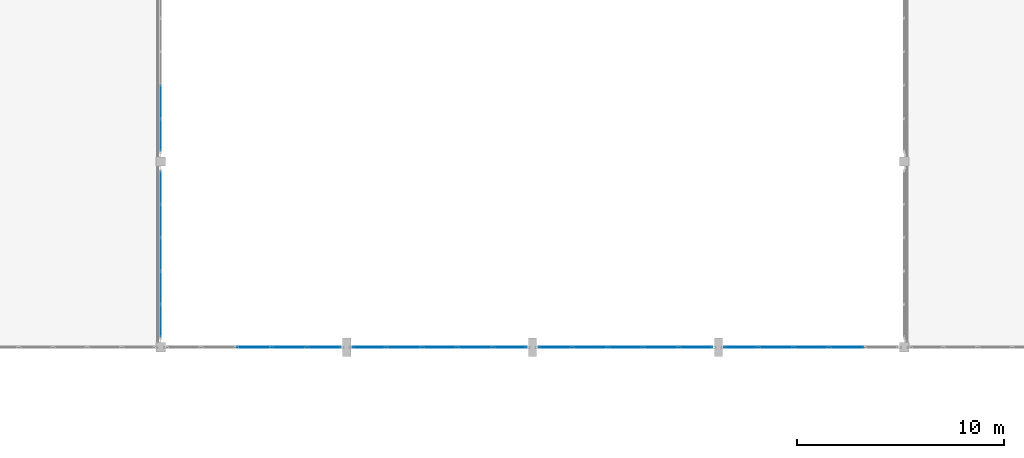
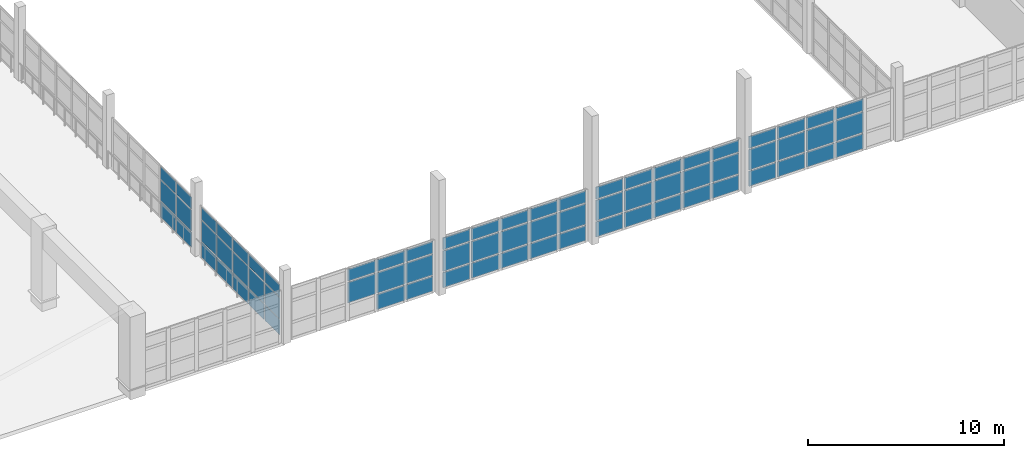
# One storey, part 56 of 80: 71 plates, 6 elements without a shape of their own.
"""IFC4 building model written with IfcOpenShell, lengths in metres."""

from ifc_helpers import new_model, si_unit, direction, frame, origin, origin_2d, place, context, subcontext, project, spatial, rectangle, extrude, material, layer, layer_set, type_object, element, aggregate, save


model = new_model("IFC4")

# Units and contexts
model_context = context("Model", 3, precision=1e-05, world=origin(), true_north=direction((0.0, 1.0)))
body_context = subcontext(model_context, "Body", "Model", "MODEL_VIEW")
ifc_project = project(units=[si_unit("LENGTHUNIT", "METRE"), si_unit("AREAUNIT", "SQUARE_METRE"), si_unit("VOLUMEUNIT", "CUBIC_METRE"), si_unit("PLANEANGLEUNIT", "RADIAN"), si_unit("MASSUNIT", "GRAM", prefix="KILO")], contexts=[model_context])

# Site, building, storey
site_placement = place(None, origin())
site = spatial("IfcSite", under=ifc_project, at=site_placement, CompositionType="ELEMENT")
building_placement = place(site_placement, origin())
building = spatial("IfcBuilding", under=site, at=building_placement, Name="Ornek Quay Market", CompositionType="ELEMENT")
storey_placement = place(building_placement, frame((0.0, 0.0, 8.39990234375)))
storey = spatial("IfcBuildingStorey", under=building, at=storey_placement, Name="L02", CompositionType="ELEMENT", Elevation=8.39990234375)

# Curtain wall, plates
ifc_material_1 = material(Name="Anodised bronze aluminium and triple low-e glass", Category="aluminium")
ifc_layer_1 = layer(ifc_material_1, 0.139892578125, Name="Anodised bronze aluminium and triple low-e glass", Category="aluminium")
ifc_layer_set_1 = layer_set([ifc_layer_1], Name="Anodised bronze aluminium and triple low-e glass")
curtain_wall_type_1 = type_object("IfcCurtainWallType", Name="CW-GALLERY-INT", PredefinedType="USERDEFINED", material=ifc_layer_set_1)
curtain_wall_1_placement = place(storey_placement, origin())
curtain_wall_1 = element("IfcCurtainWall", 1, at=curtain_wall_1_placement, inside=storey, type_object=curtain_wall_type_1, Name="Curtain wall CW-109", ObjectType="CURTAIN WALL", PredefinedType="USERDEFINED")
ifc_material_2 = material(Name="Toughened laminated acoustic glass", Category="glass")
ifc_layer_2 = layer(ifc_material_2, 0.01611328125, Name="Toughened laminated acoustic glass", Category="glass")
ifc_layer_set_2 = layer_set([ifc_layer_2], Name="Toughened laminated acoustic glass")
plate_type_1 = type_object("IfcPlateType", Name="PL-CW-INT-16", PredefinedType="CURTAIN_PANEL", material=ifc_layer_set_2)
plate_1_placement = place(storey_placement, frame((72.0, 30.27490234375, 0.06005859375), z_axis=(0.0, 0.0, 1.0), x_axis=(0.0, 1.0, 0.0)))
plate_1 = element("IfcPlate", 2, at=plate_1_placement, type_object=plate_type_1, Name="CW-109 panel 1.1", PredefinedType="CURTAIN_PANEL", context=body_context, shape_type="SweptSolid", body=[
    extrude(rectangle(XDim=1.530029296875, YDim=0.01611328125, at=origin_2d()), origin(), (0.0, 0.0, 1.0), 0.9599609375),
])
plate_2_placement = place(storey_placement, frame((72.0, 30.27490234375, 1.080078125), z_axis=(0.0, 0.0, 1.0), x_axis=(0.0, 1.0, 0.0)))
plate_2 = element("IfcPlate", 3, at=plate_2_placement, type_object=plate_type_1, Name="CW-109 panel 1.2", PredefinedType="CURTAIN_PANEL", context=body_context, shape_type="SweptSolid", body=[
    extrude(rectangle(XDim=1.530029296875, YDim=0.01611328125, at=origin_2d()), origin(), (0.0, 0.0, 1.0), 1.2900390625),
])
plate_3_placement = place(storey_placement, frame((72.0, 30.27490234375, 2.43017578125), z_axis=(0.0, 0.0, 1.0), x_axis=(0.0, 1.0, 0.0)))
plate_3 = element("IfcPlate", 4, at=plate_3_placement, type_object=plate_type_1, Name="CW-109 panel 1.3", PredefinedType="CURTAIN_PANEL", context=body_context, shape_type="SweptSolid", body=[
    extrude(rectangle(XDim=1.530029296875, YDim=0.01611328125, at=origin_2d()), origin(), (0.0, 0.0, 1.0), 0.760009765625),
])
plate_4_placement = place(storey_placement, frame((72.0, 31.8798828125, 0.06005859375), z_axis=(0.0, 0.0, 1.0), x_axis=(0.0, 1.0, 0.0)))
plate_4 = element("IfcPlate", 5, at=plate_4_placement, type_object=plate_type_1, Name="CW-109 panel 2.1", PredefinedType="CURTAIN_PANEL", context=body_context, shape_type="SweptSolid", body=[
    extrude(rectangle(XDim=1.56005859375, YDim=0.01611328125, at=origin_2d()), origin(), (0.0, 0.0, 1.0), 0.9599609375),
])
plate_5_placement = place(storey_placement, frame((72.0, 31.8798828125, 1.080078125), z_axis=(0.0, 0.0, 1.0), x_axis=(0.0, 1.0, 0.0)))
plate_5 = element("IfcPlate", 6, at=plate_5_placement, type_object=plate_type_1, Name="CW-109 panel 2.2", PredefinedType="CURTAIN_PANEL", context=body_context, shape_type="SweptSolid", body=[
    extrude(rectangle(XDim=1.56005859375, YDim=0.01611328125, at=origin_2d()), origin(), (0.0, 0.0, 1.0), 1.2900390625),
])
plate_6_placement = place(storey_placement, frame((72.0, 31.8798828125, 2.43017578125), z_axis=(0.0, 0.0, 1.0), x_axis=(0.0, 1.0, 0.0)))
plate_6 = element("IfcPlate", 7, at=plate_6_placement, type_object=plate_type_1, Name="CW-109 panel 2.3", PredefinedType="CURTAIN_PANEL", context=body_context, shape_type="SweptSolid", body=[
    extrude(rectangle(XDim=1.56005859375, YDim=0.01611328125, at=origin_2d()), origin(), (0.0, 0.0, 1.0), 0.760009765625),
])
plate_7_placement = place(storey_placement, frame((72.0, 33.5, 0.06005859375), z_axis=(0.0, 0.0, 1.0), x_axis=(0.0, 1.0, 0.0)))
plate_7 = element("IfcPlate", 8, at=plate_7_placement, type_object=plate_type_1, Name="CW-109 panel 3.1", PredefinedType="CURTAIN_PANEL", context=body_context, shape_type="SweptSolid", body=[
    extrude(rectangle(XDim=1.56005859375, YDim=0.01611328125, at=origin_2d()), origin(), (0.0, 0.0, 1.0), 0.9599609375),
])
plate_8_placement = place(storey_placement, frame((72.0, 33.5, 1.080078125), z_axis=(0.0, 0.0, 1.0), x_axis=(0.0, 1.0, 0.0)))
plate_8 = element("IfcPlate", 9, at=plate_8_placement, type_object=plate_type_1, Name="CW-109 panel 3.2", PredefinedType="CURTAIN_PANEL", context=body_context, shape_type="SweptSolid", body=[
    extrude(rectangle(XDim=1.56005859375, YDim=0.01611328125, at=origin_2d()), origin(), (0.0, 0.0, 1.0), 1.2900390625),
])
plate_9_placement = place(storey_placement, frame((72.0, 33.5, 2.43017578125), z_axis=(0.0, 0.0, 1.0), x_axis=(0.0, 1.0, 0.0)))
plate_9 = element("IfcPlate", 10, at=plate_9_placement, type_object=plate_type_1, Name="CW-109 panel 3.3", PredefinedType="CURTAIN_PANEL", context=body_context, shape_type="SweptSolid", body=[
    extrude(rectangle(XDim=1.56005859375, YDim=0.01611328125, at=origin_2d()), origin(), (0.0, 0.0, 1.0), 0.760009765625),
])
plate_10_placement = place(storey_placement, frame((72.0, 35.1201171875, 0.06005859375), z_axis=(0.0, 0.0, 1.0), x_axis=(0.0, 1.0, 0.0)))
plate_10 = element("IfcPlate", 11, at=plate_10_placement, type_object=plate_type_1, Name="CW-109 panel 4.1", PredefinedType="CURTAIN_PANEL", context=body_context, shape_type="SweptSolid", body=[
    extrude(rectangle(XDim=1.56005859375, YDim=0.01611328125, at=origin_2d()), origin(), (0.0, 0.0, 1.0), 0.9599609375),
])
plate_11_placement = place(storey_placement, frame((72.0, 35.1201171875, 1.080078125), z_axis=(0.0, 0.0, 1.0), x_axis=(0.0, 1.0, 0.0)))
plate_11 = element("IfcPlate", 12, at=plate_11_placement, type_object=plate_type_1, Name="CW-109 panel 4.2", PredefinedType="CURTAIN_PANEL", context=body_context, shape_type="SweptSolid", body=[
    extrude(rectangle(XDim=1.56005859375, YDim=0.01611328125, at=origin_2d()), origin(), (0.0, 0.0, 1.0), 1.2900390625),
])
plate_12_placement = place(storey_placement, frame((72.0, 35.1201171875, 2.43017578125), z_axis=(0.0, 0.0, 1.0), x_axis=(0.0, 1.0, 0.0)))
plate_12 = element("IfcPlate", 13, at=plate_12_placement, type_object=plate_type_1, Name="CW-109 panel 4.3", PredefinedType="CURTAIN_PANEL", context=body_context, shape_type="SweptSolid", body=[
    extrude(rectangle(XDim=1.56005859375, YDim=0.01611328125, at=origin_2d()), origin(), (0.0, 0.0, 1.0), 0.760009765625),
])
plate_13_placement = place(storey_placement, frame((72.0, 36.72509765625, 0.06005859375), z_axis=(0.0, 0.0, 1.0), x_axis=(0.0, 1.0, 0.0)))
plate_13 = element("IfcPlate", 14, at=plate_13_placement, type_object=plate_type_1, Name="CW-109 panel 5.1", PredefinedType="CURTAIN_PANEL", context=body_context, shape_type="SweptSolid", body=[
    extrude(rectangle(XDim=1.530029296875, YDim=0.01611328125, at=origin_2d()), origin(), (0.0, 0.0, 1.0), 0.9599609375),
])
plate_14_placement = place(storey_placement, frame((72.0, 36.72509765625, 1.080078125), z_axis=(0.0, 0.0, 1.0), x_axis=(0.0, 1.0, 0.0)))
plate_14 = element("IfcPlate", 15, at=plate_14_placement, type_object=plate_type_1, Name="CW-109 panel 5.2", PredefinedType="CURTAIN_PANEL", context=body_context, shape_type="SweptSolid", body=[
    extrude(rectangle(XDim=1.530029296875, YDim=0.01611328125, at=origin_2d()), origin(), (0.0, 0.0, 1.0), 1.2900390625),
])
plate_15_placement = place(storey_placement, frame((72.0, 36.72509765625, 2.43017578125), z_axis=(0.0, 0.0, 1.0), x_axis=(0.0, 1.0, 0.0)))
plate_15 = element("IfcPlate", 16, at=plate_15_placement, type_object=plate_type_1, Name="CW-109 panel 5.3", PredefinedType="CURTAIN_PANEL", context=body_context, shape_type="SweptSolid", body=[
    extrude(rectangle(XDim=1.530029296875, YDim=0.01611328125, at=origin_2d()), origin(), (0.0, 0.0, 1.0), 0.760009765625),
])
aggregate(curtain_wall_1, [plate_1, plate_2, plate_3, plate_4, plate_5, plate_6, plate_7, plate_8, plate_9, plate_10, plate_11, plate_12, plate_13, plate_14, plate_15])

curtain_wall_2_placement = place(storey_placement, origin())
curtain_wall_2 = element("IfcCurtainWall", 17, at=curtain_wall_2_placement, inside=storey, type_object=curtain_wall_type_1, Name="Curtain wall CW-110", ObjectType="CURTAIN WALL", PredefinedType="USERDEFINED")
plate_16_placement = place(storey_placement, frame((72.0, 39.27490234375, 0.06005859375), z_axis=(0.0, 0.0, 1.0), x_axis=(0.0, 1.0, 0.0)))
plate_16 = element("IfcPlate", 18, at=plate_16_placement, type_object=plate_type_1, Name="CW-110 panel 1.1", PredefinedType="CURTAIN_PANEL", context=body_context, shape_type="SweptSolid", body=[
    extrude(rectangle(XDim=1.530029296875, YDim=0.01611328125, at=origin_2d()), origin(), (0.0, 0.0, 1.0), 0.9599609375),
])
plate_17_placement = place(storey_placement, frame((72.0, 39.27490234375, 1.080078125), z_axis=(0.0, 0.0, 1.0), x_axis=(0.0, 1.0, 0.0)))
plate_17 = element("IfcPlate", 19, at=plate_17_placement, type_object=plate_type_1, Name="CW-110 panel 1.2", PredefinedType="CURTAIN_PANEL", context=body_context, shape_type="SweptSolid", body=[
    extrude(rectangle(XDim=1.530029296875, YDim=0.01611328125, at=origin_2d()), origin(), (0.0, 0.0, 1.0), 1.2900390625),
])
plate_18_placement = place(storey_placement, frame((72.0, 39.27490234375, 2.43017578125), z_axis=(0.0, 0.0, 1.0), x_axis=(0.0, 1.0, 0.0)))
plate_18 = element("IfcPlate", 20, at=plate_18_placement, type_object=plate_type_1, Name="CW-110 panel 1.3", PredefinedType="CURTAIN_PANEL", context=body_context, shape_type="SweptSolid", body=[
    extrude(rectangle(XDim=1.530029296875, YDim=0.01611328125, at=origin_2d()), origin(), (0.0, 0.0, 1.0), 0.760009765625),
])
plate_19_placement = place(storey_placement, frame((72.0, 40.8798828125, 0.06005859375), z_axis=(0.0, 0.0, 1.0), x_axis=(0.0, 1.0, 0.0)))
plate_19 = element("IfcPlate", 21, at=plate_19_placement, type_object=plate_type_1, Name="CW-110 panel 2.1", PredefinedType="CURTAIN_PANEL", context=body_context, shape_type="SweptSolid", body=[
    extrude(rectangle(XDim=1.56005859375, YDim=0.01611328125, at=origin_2d()), origin(), (0.0, 0.0, 1.0), 0.9599609375),
])
plate_20_placement = place(storey_placement, frame((72.0, 40.8798828125, 1.080078125), z_axis=(0.0, 0.0, 1.0), x_axis=(0.0, 1.0, 0.0)))
plate_20 = element("IfcPlate", 22, at=plate_20_placement, type_object=plate_type_1, Name="CW-110 panel 2.2", PredefinedType="CURTAIN_PANEL", context=body_context, shape_type="SweptSolid", body=[
    extrude(rectangle(XDim=1.56005859375, YDim=0.01611328125, at=origin_2d()), origin(), (0.0, 0.0, 1.0), 1.2900390625),
])
plate_21_placement = place(storey_placement, frame((72.0, 40.8798828125, 2.43017578125), z_axis=(0.0, 0.0, 1.0), x_axis=(0.0, 1.0, 0.0)))
plate_21 = element("IfcPlate", 23, at=plate_21_placement, type_object=plate_type_1, Name="CW-110 panel 2.3", PredefinedType="CURTAIN_PANEL", context=body_context, shape_type="SweptSolid", body=[
    extrude(rectangle(XDim=1.56005859375, YDim=0.01611328125, at=origin_2d()), origin(), (0.0, 0.0, 1.0), 0.760009765625),
])
aggregate(curtain_wall_2, [plate_16, plate_17, plate_18, plate_19, plate_20, plate_21])

ifc_layer_3 = layer(ifc_material_1, 0.239990234375, Name="Anodised bronze aluminium and triple low-e glass", Category="aluminium")
ifc_layer_set_3 = layer_set([ifc_layer_3], Name="Anodised bronze aluminium and triple low-e glass")
curtain_wall_type_2 = type_object("IfcCurtainWallType", Name="CW-GAB-MOD1800", PredefinedType="USERDEFINED", material=ifc_layer_set_3)
curtain_wall_3_placement = place(storey_placement, origin())
curtain_wall_3 = element("IfcCurtainWall", 24, at=curtain_wall_3_placement, inside=storey, type_object=curtain_wall_type_2, Name="Curtain wall CW-066", ObjectType="CURTAIN WALL", PredefinedType="USERDEFINED")
ifc_material_3 = material(Name="Triple insulated low-e glass", Category="glass")
ifc_layer_4 = layer(ifc_material_3, 0.0419921875, Name="Triple insulated low-e glass", Category="glass")
ifc_layer_set_4 = layer_set([ifc_layer_4], Name="Triple insulated low-e glass")
plate_type_2 = type_object("IfcPlateType", Name="PL-CW-TRIPLE-42", PredefinedType="CURTAIN_PANEL", material=ifc_layer_set_4)
plate_22_placement = place(storey_placement, frame((76.510009765625, 29.0, 1.087646484375), z_axis=(0.0, 0.0, 1.0), x_axis=(1.0, 0.0, 0.0)))
plate_22 = element("IfcPlate", 25, at=plate_22_placement, type_object=plate_type_2, Name="CW-066 panel 3.2", PredefinedType="CURTAIN_PANEL", context=body_context, shape_type="SweptSolid", body=[
    extrude(rectangle(XDim=1.632080078125, YDim=0.0419921875, at=origin_2d()), origin(), (0.0, 0.0, 1.0), 1.27490234375),
])
plate_23_placement = place(storey_placement, frame((76.510009765625, 29.0, 2.4375), z_axis=(0.0, 0.0, 1.0), x_axis=(1.0, 0.0, 0.0)))
plate_23 = element("IfcPlate", 26, at=plate_23_placement, type_object=plate_type_2, Name="CW-066 panel 3.3", PredefinedType="CURTAIN_PANEL", context=body_context, shape_type="SweptSolid", body=[
    extrude(rectangle(XDim=1.632080078125, YDim=0.0419921875, at=origin_2d()), origin(), (0.0, 0.0, 1.0), 0.737548828125),
])
plate_24_placement = place(storey_placement, frame((78.221923828125, 29.0, 0.0751953125), z_axis=(0.0, 0.0, 1.0), x_axis=(1.0, 0.0, 0.0)))
plate_24 = element("IfcPlate", 27, at=plate_24_placement, type_object=plate_type_2, Name="CW-066 panel 4.1", PredefinedType="CURTAIN_PANEL", context=body_context, shape_type="SweptSolid", body=[
    extrude(rectangle(XDim=1.632080078125, YDim=0.0419921875, at=origin_2d()), origin(), (0.0, 0.0, 1.0), 0.9375),
])
plate_25_placement = place(storey_placement, frame((78.221923828125, 29.0, 1.087646484375), z_axis=(0.0, 0.0, 1.0), x_axis=(1.0, 0.0, 0.0)))
plate_25 = element("IfcPlate", 28, at=plate_25_placement, type_object=plate_type_2, Name="CW-066 panel 4.2", PredefinedType="CURTAIN_PANEL", context=body_context, shape_type="SweptSolid", body=[
    extrude(rectangle(XDim=1.632080078125, YDim=0.0419921875, at=origin_2d()), origin(), (0.0, 0.0, 1.0), 1.27490234375),
])
plate_26_placement = place(storey_placement, frame((78.221923828125, 29.0, 2.4375), z_axis=(0.0, 0.0, 1.0), x_axis=(1.0, 0.0, 0.0)))
plate_26 = element("IfcPlate", 29, at=plate_26_placement, type_object=plate_type_2, Name="CW-066 panel 4.3", PredefinedType="CURTAIN_PANEL", context=body_context, shape_type="SweptSolid", body=[
    extrude(rectangle(XDim=1.632080078125, YDim=0.0419921875, at=origin_2d()), origin(), (0.0, 0.0, 1.0), 0.737548828125),
])
plate_27_placement = place(storey_placement, frame((79.9140625, 29.0, 0.0751953125), z_axis=(0.0, 0.0, 1.0), x_axis=(1.0, 0.0, 0.0)))
plate_27 = element("IfcPlate", 30, at=plate_27_placement, type_object=plate_type_2, Name="CW-066 panel 5.1", PredefinedType="CURTAIN_PANEL", context=body_context, shape_type="SweptSolid", body=[
    extrude(rectangle(XDim=1.592041015625, YDim=0.0419921875, at=origin_2d()), origin(), (0.0, 0.0, 1.0), 0.9375),
])
plate_28_placement = place(storey_placement, frame((79.9140625, 29.0, 1.087646484375), z_axis=(0.0, 0.0, 1.0), x_axis=(1.0, 0.0, 0.0)))
plate_28 = element("IfcPlate", 31, at=plate_28_placement, type_object=plate_type_2, Name="CW-066 panel 5.2", PredefinedType="CURTAIN_PANEL", context=body_context, shape_type="SweptSolid", body=[
    extrude(rectangle(XDim=1.592041015625, YDim=0.0419921875, at=origin_2d()), origin(), (0.0, 0.0, 1.0), 1.27490234375),
])
plate_29_placement = place(storey_placement, frame((79.9140625, 29.0, 2.4375), z_axis=(0.0, 0.0, 1.0), x_axis=(1.0, 0.0, 0.0)))
plate_29 = element("IfcPlate", 32, at=plate_29_placement, type_object=plate_type_2, Name="CW-066 panel 5.3", PredefinedType="CURTAIN_PANEL", context=body_context, shape_type="SweptSolid", body=[
    extrude(rectangle(XDim=1.592041015625, YDim=0.0419921875, at=origin_2d()), origin(), (0.0, 0.0, 1.0), 0.737548828125),
])
aggregate(curtain_wall_3, [plate_22, plate_23, plate_24, plate_25, plate_26, plate_27, plate_28, plate_29])

curtain_wall_4_placement = place(storey_placement, origin())
curtain_wall_4 = element("IfcCurtainWall", 33, at=curtain_wall_4_placement, inside=storey, type_object=curtain_wall_type_2, Name="Curtain wall CW-069", ObjectType="CURTAIN WALL", PredefinedType="USERDEFINED")
plate_30_placement = place(storey_placement, frame((82.087890625, 29.0, 0.0751953125), z_axis=(0.0, 0.0, 1.0), x_axis=(1.0, 0.0, 0.0)))
plate_30 = element("IfcPlate", 34, at=plate_30_placement, type_object=plate_type_2, Name="CW-069 panel 1.1", PredefinedType="CURTAIN_PANEL", context=body_context, shape_type="SweptSolid", body=[
    extrude(rectangle(XDim=1.595947265625, YDim=0.0419921875, at=origin_2d()), origin(), (0.0, 0.0, 1.0), 0.9375),
])
plate_31_placement = place(storey_placement, frame((82.087890625, 29.0, 1.087646484375), z_axis=(0.0, 0.0, 1.0), x_axis=(1.0, 0.0, 0.0)))
plate_31 = element("IfcPlate", 35, at=plate_31_placement, type_object=plate_type_2, Name="CW-069 panel 1.2", PredefinedType="CURTAIN_PANEL", context=body_context, shape_type="SweptSolid", body=[
    extrude(rectangle(XDim=1.595947265625, YDim=0.0419921875, at=origin_2d()), origin(), (0.0, 0.0, 1.0), 1.27490234375),
])
plate_32_placement = place(storey_placement, frame((82.087890625, 29.0, 2.4375), z_axis=(0.0, 0.0, 1.0), x_axis=(1.0, 0.0, 0.0)))
plate_32 = element("IfcPlate", 36, at=plate_32_placement, type_object=plate_type_2, Name="CW-069 panel 1.3", PredefinedType="CURTAIN_PANEL", context=body_context, shape_type="SweptSolid", body=[
    extrude(rectangle(XDim=1.595947265625, YDim=0.0419921875, at=origin_2d()), origin(), (0.0, 0.0, 1.0), 0.737548828125),
])
plate_33_placement = place(storey_placement, frame((83.783935546875, 29.0, 0.0751953125), z_axis=(0.0, 0.0, 1.0), x_axis=(1.0, 0.0, 0.0)))
plate_33 = element("IfcPlate", 37, at=plate_33_placement, type_object=plate_type_2, Name="CW-069 panel 2.1", PredefinedType="CURTAIN_PANEL", context=body_context, shape_type="SweptSolid", body=[
    extrude(rectangle(XDim=1.635986328125, YDim=0.0419921875, at=origin_2d()), origin(), (0.0, 0.0, 1.0), 0.9375),
])
plate_34_placement = place(storey_placement, frame((83.783935546875, 29.0, 1.087646484375), z_axis=(0.0, 0.0, 1.0), x_axis=(1.0, 0.0, 0.0)))
plate_34 = element("IfcPlate", 38, at=plate_34_placement, type_object=plate_type_2, Name="CW-069 panel 2.2", PredefinedType="CURTAIN_PANEL", context=body_context, shape_type="SweptSolid", body=[
    extrude(rectangle(XDim=1.635986328125, YDim=0.0419921875, at=origin_2d()), origin(), (0.0, 0.0, 1.0), 1.27490234375),
])
plate_35_placement = place(storey_placement, frame((83.783935546875, 29.0, 2.4375), z_axis=(0.0, 0.0, 1.0), x_axis=(1.0, 0.0, 0.0)))
plate_35 = element("IfcPlate", 39, at=plate_35_placement, type_object=plate_type_2, Name="CW-069 panel 2.3", PredefinedType="CURTAIN_PANEL", context=body_context, shape_type="SweptSolid", body=[
    extrude(rectangle(XDim=1.635986328125, YDim=0.0419921875, at=origin_2d()), origin(), (0.0, 0.0, 1.0), 0.737548828125),
])
plate_36_placement = place(storey_placement, frame((85.5, 29.0, 0.0751953125), z_axis=(0.0, 0.0, 1.0), x_axis=(1.0, 0.0, 0.0)))
plate_36 = element("IfcPlate", 40, at=plate_36_placement, type_object=plate_type_2, Name="CW-069 panel 3.1", PredefinedType="CURTAIN_PANEL", context=body_context, shape_type="SweptSolid", body=[
    extrude(rectangle(XDim=1.635986328125, YDim=0.0419921875, at=origin_2d()), origin(), (0.0, 0.0, 1.0), 0.9375),
])
plate_37_placement = place(storey_placement, frame((85.5, 29.0, 1.087646484375), z_axis=(0.0, 0.0, 1.0), x_axis=(1.0, 0.0, 0.0)))
plate_37 = element("IfcPlate", 41, at=plate_37_placement, type_object=plate_type_2, Name="CW-069 panel 3.2", PredefinedType="CURTAIN_PANEL", context=body_context, shape_type="SweptSolid", body=[
    extrude(rectangle(XDim=1.635986328125, YDim=0.0419921875, at=origin_2d()), origin(), (0.0, 0.0, 1.0), 1.27490234375),
])
plate_38_placement = place(storey_placement, frame((85.5, 29.0, 2.4375), z_axis=(0.0, 0.0, 1.0), x_axis=(1.0, 0.0, 0.0)))
plate_38 = element("IfcPlate", 42, at=plate_38_placement, type_object=plate_type_2, Name="CW-069 panel 3.3", PredefinedType="CURTAIN_PANEL", context=body_context, shape_type="SweptSolid", body=[
    extrude(rectangle(XDim=1.635986328125, YDim=0.0419921875, at=origin_2d()), origin(), (0.0, 0.0, 1.0), 0.737548828125),
])
plate_39_placement = place(storey_placement, frame((87.216064453125, 29.0, 0.0751953125), z_axis=(0.0, 0.0, 1.0), x_axis=(1.0, 0.0, 0.0)))
plate_39 = element("IfcPlate", 43, at=plate_39_placement, type_object=plate_type_2, Name="CW-069 panel 4.1", PredefinedType="CURTAIN_PANEL", context=body_context, shape_type="SweptSolid", body=[
    extrude(rectangle(XDim=1.635986328125, YDim=0.0419921875, at=origin_2d()), origin(), (0.0, 0.0, 1.0), 0.9375),
])
plate_40_placement = place(storey_placement, frame((87.216064453125, 29.0, 1.087646484375), z_axis=(0.0, 0.0, 1.0), x_axis=(1.0, 0.0, 0.0)))
plate_40 = element("IfcPlate", 44, at=plate_40_placement, type_object=plate_type_2, Name="CW-069 panel 4.2", PredefinedType="CURTAIN_PANEL", context=body_context, shape_type="SweptSolid", body=[
    extrude(rectangle(XDim=1.635986328125, YDim=0.0419921875, at=origin_2d()), origin(), (0.0, 0.0, 1.0), 1.27490234375),
])
plate_41_placement = place(storey_placement, frame((87.216064453125, 29.0, 2.4375), z_axis=(0.0, 0.0, 1.0), x_axis=(1.0, 0.0, 0.0)))
plate_41 = element("IfcPlate", 45, at=plate_41_placement, type_object=plate_type_2, Name="CW-069 panel 4.3", PredefinedType="CURTAIN_PANEL", context=body_context, shape_type="SweptSolid", body=[
    extrude(rectangle(XDim=1.635986328125, YDim=0.0419921875, at=origin_2d()), origin(), (0.0, 0.0, 1.0), 0.737548828125),
])
plate_42_placement = place(storey_placement, frame((88.912109375, 29.0, 0.0751953125), z_axis=(0.0, 0.0, 1.0), x_axis=(1.0, 0.0, 0.0)))
plate_42 = element("IfcPlate", 46, at=plate_42_placement, type_object=plate_type_2, Name="CW-069 panel 5.1", PredefinedType="CURTAIN_PANEL", context=body_context, shape_type="SweptSolid", body=[
    extrude(rectangle(XDim=1.595947265625, YDim=0.0419921875, at=origin_2d()), origin(), (0.0, 0.0, 1.0), 0.9375),
])
plate_43_placement = place(storey_placement, frame((88.912109375, 29.0, 1.087646484375), z_axis=(0.0, 0.0, 1.0), x_axis=(1.0, 0.0, 0.0)))
plate_43 = element("IfcPlate", 47, at=plate_43_placement, type_object=plate_type_2, Name="CW-069 panel 5.2", PredefinedType="CURTAIN_PANEL", context=body_context, shape_type="SweptSolid", body=[
    extrude(rectangle(XDim=1.595947265625, YDim=0.0419921875, at=origin_2d()), origin(), (0.0, 0.0, 1.0), 1.27490234375),
])
plate_44_placement = place(storey_placement, frame((88.912109375, 29.0, 2.4375), z_axis=(0.0, 0.0, 1.0), x_axis=(1.0, 0.0, 0.0)))
plate_44 = element("IfcPlate", 48, at=plate_44_placement, type_object=plate_type_2, Name="CW-069 panel 5.3", PredefinedType="CURTAIN_PANEL", context=body_context, shape_type="SweptSolid", body=[
    extrude(rectangle(XDim=1.595947265625, YDim=0.0419921875, at=origin_2d()), origin(), (0.0, 0.0, 1.0), 0.737548828125),
])
aggregate(curtain_wall_4, [plate_30, plate_31, plate_32, plate_33, plate_34, plate_35, plate_36, plate_37, plate_38, plate_39, plate_40, plate_41, plate_42, plate_43, plate_44])

curtain_wall_5_placement = place(storey_placement, origin())
curtain_wall_5 = element("IfcCurtainWall", 49, at=curtain_wall_5_placement, inside=storey, type_object=curtain_wall_type_2, Name="Curtain wall CW-072", ObjectType="CURTAIN WALL", PredefinedType="USERDEFINED")
plate_45_placement = place(storey_placement, frame((91.087890625, 29.0, 0.0751953125), z_axis=(0.0, 0.0, 1.0), x_axis=(1.0, 0.0, 0.0)))
plate_45 = element("IfcPlate", 50, at=plate_45_placement, type_object=plate_type_2, Name="CW-072 panel 1.1", PredefinedType="CURTAIN_PANEL", context=body_context, shape_type="SweptSolid", body=[
    extrude(rectangle(XDim=1.595947265625, YDim=0.0419921875, at=origin_2d()), origin(), (0.0, 0.0, 1.0), 0.9375),
])
plate_46_placement = place(storey_placement, frame((91.087890625, 29.0, 1.087646484375), z_axis=(0.0, 0.0, 1.0), x_axis=(1.0, 0.0, 0.0)))
plate_46 = element("IfcPlate", 51, at=plate_46_placement, type_object=plate_type_2, Name="CW-072 panel 1.2", PredefinedType="CURTAIN_PANEL", context=body_context, shape_type="SweptSolid", body=[
    extrude(rectangle(XDim=1.595947265625, YDim=0.0419921875, at=origin_2d()), origin(), (0.0, 0.0, 1.0), 1.27490234375),
])
plate_47_placement = place(storey_placement, frame((91.087890625, 29.0, 2.4375), z_axis=(0.0, 0.0, 1.0), x_axis=(1.0, 0.0, 0.0)))
plate_47 = element("IfcPlate", 52, at=plate_47_placement, type_object=plate_type_2, Name="CW-072 panel 1.3", PredefinedType="CURTAIN_PANEL", context=body_context, shape_type="SweptSolid", body=[
    extrude(rectangle(XDim=1.595947265625, YDim=0.0419921875, at=origin_2d()), origin(), (0.0, 0.0, 1.0), 0.737548828125),
])
plate_48_placement = place(storey_placement, frame((92.783935546875, 29.0, 0.0751953125), z_axis=(0.0, 0.0, 1.0), x_axis=(1.0, 0.0, 0.0)))
plate_48 = element("IfcPlate", 53, at=plate_48_placement, type_object=plate_type_2, Name="CW-072 panel 2.1", PredefinedType="CURTAIN_PANEL", context=body_context, shape_type="SweptSolid", body=[
    extrude(rectangle(XDim=1.635986328125, YDim=0.0419921875, at=origin_2d()), origin(), (0.0, 0.0, 1.0), 0.9375),
])
plate_49_placement = place(storey_placement, frame((92.783935546875, 29.0, 1.087646484375), z_axis=(0.0, 0.0, 1.0), x_axis=(1.0, 0.0, 0.0)))
plate_49 = element("IfcPlate", 54, at=plate_49_placement, type_object=plate_type_2, Name="CW-072 panel 2.2", PredefinedType="CURTAIN_PANEL", context=body_context, shape_type="SweptSolid", body=[
    extrude(rectangle(XDim=1.635986328125, YDim=0.0419921875, at=origin_2d()), origin(), (0.0, 0.0, 1.0), 1.27490234375),
])
plate_50_placement = place(storey_placement, frame((92.783935546875, 29.0, 2.4375), z_axis=(0.0, 0.0, 1.0), x_axis=(1.0, 0.0, 0.0)))
plate_50 = element("IfcPlate", 55, at=plate_50_placement, type_object=plate_type_2, Name="CW-072 panel 2.3", PredefinedType="CURTAIN_PANEL", context=body_context, shape_type="SweptSolid", body=[
    extrude(rectangle(XDim=1.635986328125, YDim=0.0419921875, at=origin_2d()), origin(), (0.0, 0.0, 1.0), 0.737548828125),
])
plate_51_placement = place(storey_placement, frame((94.5, 29.0, 0.0751953125), z_axis=(0.0, 0.0, 1.0), x_axis=(1.0, 0.0, 0.0)))
plate_51 = element("IfcPlate", 56, at=plate_51_placement, type_object=plate_type_2, Name="CW-072 panel 3.1", PredefinedType="CURTAIN_PANEL", context=body_context, shape_type="SweptSolid", body=[
    extrude(rectangle(XDim=1.635986328125, YDim=0.0419921875, at=origin_2d()), origin(), (0.0, 0.0, 1.0), 0.9375),
])
plate_52_placement = place(storey_placement, frame((94.5, 29.0, 1.087646484375), z_axis=(0.0, 0.0, 1.0), x_axis=(1.0, 0.0, 0.0)))
plate_52 = element("IfcPlate", 57, at=plate_52_placement, type_object=plate_type_2, Name="CW-072 panel 3.2", PredefinedType="CURTAIN_PANEL", context=body_context, shape_type="SweptSolid", body=[
    extrude(rectangle(XDim=1.635986328125, YDim=0.0419921875, at=origin_2d()), origin(), (0.0, 0.0, 1.0), 1.27490234375),
])
plate_53_placement = place(storey_placement, frame((94.5, 29.0, 2.4375), z_axis=(0.0, 0.0, 1.0), x_axis=(1.0, 0.0, 0.0)))
plate_53 = element("IfcPlate", 58, at=plate_53_placement, type_object=plate_type_2, Name="CW-072 panel 3.3", PredefinedType="CURTAIN_PANEL", context=body_context, shape_type="SweptSolid", body=[
    extrude(rectangle(XDim=1.635986328125, YDim=0.0419921875, at=origin_2d()), origin(), (0.0, 0.0, 1.0), 0.737548828125),
])
plate_54_placement = place(storey_placement, frame((96.216064453125, 29.0, 0.0751953125), z_axis=(0.0, 0.0, 1.0), x_axis=(1.0, 0.0, 0.0)))
plate_54 = element("IfcPlate", 59, at=plate_54_placement, type_object=plate_type_2, Name="CW-072 panel 4.1", PredefinedType="CURTAIN_PANEL", context=body_context, shape_type="SweptSolid", body=[
    extrude(rectangle(XDim=1.635986328125, YDim=0.0419921875, at=origin_2d()), origin(), (0.0, 0.0, 1.0), 0.9375),
])
plate_55_placement = place(storey_placement, frame((96.216064453125, 29.0, 1.087646484375), z_axis=(0.0, 0.0, 1.0), x_axis=(1.0, 0.0, 0.0)))
plate_55 = element("IfcPlate", 60, at=plate_55_placement, type_object=plate_type_2, Name="CW-072 panel 4.2", PredefinedType="CURTAIN_PANEL", context=body_context, shape_type="SweptSolid", body=[
    extrude(rectangle(XDim=1.635986328125, YDim=0.0419921875, at=origin_2d()), origin(), (0.0, 0.0, 1.0), 1.27490234375),
])
plate_56_placement = place(storey_placement, frame((96.216064453125, 29.0, 2.4375), z_axis=(0.0, 0.0, 1.0), x_axis=(1.0, 0.0, 0.0)))
plate_56 = element("IfcPlate", 61, at=plate_56_placement, type_object=plate_type_2, Name="CW-072 panel 4.3", PredefinedType="CURTAIN_PANEL", context=body_context, shape_type="SweptSolid", body=[
    extrude(rectangle(XDim=1.635986328125, YDim=0.0419921875, at=origin_2d()), origin(), (0.0, 0.0, 1.0), 0.737548828125),
])
plate_57_placement = place(storey_placement, frame((97.912109375, 29.0, 0.0751953125), z_axis=(0.0, 0.0, 1.0), x_axis=(1.0, 0.0, 0.0)))
plate_57 = element("IfcPlate", 62, at=plate_57_placement, type_object=plate_type_2, Name="CW-072 panel 5.1", PredefinedType="CURTAIN_PANEL", context=body_context, shape_type="SweptSolid", body=[
    extrude(rectangle(XDim=1.595947265625, YDim=0.0419921875, at=origin_2d()), origin(), (0.0, 0.0, 1.0), 0.9375),
])
plate_58_placement = place(storey_placement, frame((97.912109375, 29.0, 1.087646484375), z_axis=(0.0, 0.0, 1.0), x_axis=(1.0, 0.0, 0.0)))
plate_58 = element("IfcPlate", 63, at=plate_58_placement, type_object=plate_type_2, Name="CW-072 panel 5.2", PredefinedType="CURTAIN_PANEL", context=body_context, shape_type="SweptSolid", body=[
    extrude(rectangle(XDim=1.595947265625, YDim=0.0419921875, at=origin_2d()), origin(), (0.0, 0.0, 1.0), 1.27490234375),
])
plate_59_placement = place(storey_placement, frame((97.912109375, 29.0, 2.4375), z_axis=(0.0, 0.0, 1.0), x_axis=(1.0, 0.0, 0.0)))
plate_59 = element("IfcPlate", 64, at=plate_59_placement, type_object=plate_type_2, Name="CW-072 panel 5.3", PredefinedType="CURTAIN_PANEL", context=body_context, shape_type="SweptSolid", body=[
    extrude(rectangle(XDim=1.595947265625, YDim=0.0419921875, at=origin_2d()), origin(), (0.0, 0.0, 1.0), 0.737548828125),
])
aggregate(curtain_wall_5, [plate_45, plate_46, plate_47, plate_48, plate_49, plate_50, plate_51, plate_52, plate_53, plate_54, plate_55, plate_56, plate_57, plate_58, plate_59])

curtain_wall_6_placement = place(storey_placement, origin())
curtain_wall_6 = element("IfcCurtainWall", 65, at=curtain_wall_6_placement, inside=storey, type_object=curtain_wall_type_2, Name="Curtain wall CW-075", ObjectType="CURTAIN WALL", PredefinedType="USERDEFINED")
plate_60_placement = place(storey_placement, frame((100.0859375, 29.0, 0.0751953125), z_axis=(0.0, 0.0, 1.0), x_axis=(1.0, 0.0, 0.0)))
plate_60 = element("IfcPlate", 66, at=plate_60_placement, type_object=plate_type_2, Name="CW-075 panel 1.1", PredefinedType="CURTAIN_PANEL", context=body_context, shape_type="SweptSolid", body=[
    extrude(rectangle(XDim=1.592041015625, YDim=0.0419921875, at=origin_2d()), origin(), (0.0, 0.0, 1.0), 0.9375),
])
plate_61_placement = place(storey_placement, frame((100.0859375, 29.0, 1.087646484375), z_axis=(0.0, 0.0, 1.0), x_axis=(1.0, 0.0, 0.0)))
plate_61 = element("IfcPlate", 67, at=plate_61_placement, type_object=plate_type_2, Name="CW-075 panel 1.2", PredefinedType="CURTAIN_PANEL", context=body_context, shape_type="SweptSolid", body=[
    extrude(rectangle(XDim=1.592041015625, YDim=0.0419921875, at=origin_2d()), origin(), (0.0, 0.0, 1.0), 1.27490234375),
])
plate_62_placement = place(storey_placement, frame((100.0859375, 29.0, 2.4375), z_axis=(0.0, 0.0, 1.0), x_axis=(1.0, 0.0, 0.0)))
plate_62 = element("IfcPlate", 68, at=plate_62_placement, type_object=plate_type_2, Name="CW-075 panel 1.3", PredefinedType="CURTAIN_PANEL", context=body_context, shape_type="SweptSolid", body=[
    extrude(rectangle(XDim=1.592041015625, YDim=0.0419921875, at=origin_2d()), origin(), (0.0, 0.0, 1.0), 0.737548828125),
])
plate_63_placement = place(storey_placement, frame((101.778076171875, 29.0, 0.0751953125), z_axis=(0.0, 0.0, 1.0), x_axis=(1.0, 0.0, 0.0)))
plate_63 = element("IfcPlate", 69, at=plate_63_placement, type_object=plate_type_2, Name="CW-075 panel 2.1", PredefinedType="CURTAIN_PANEL", context=body_context, shape_type="SweptSolid", body=[
    extrude(rectangle(XDim=1.632080078125, YDim=0.0419921875, at=origin_2d()), origin(), (0.0, 0.0, 1.0), 0.9375),
])
plate_64_placement = place(storey_placement, frame((101.778076171875, 29.0, 1.087646484375), z_axis=(0.0, 0.0, 1.0), x_axis=(1.0, 0.0, 0.0)))
plate_64 = element("IfcPlate", 70, at=plate_64_placement, type_object=plate_type_2, Name="CW-075 panel 2.2", PredefinedType="CURTAIN_PANEL", context=body_context, shape_type="SweptSolid", body=[
    extrude(rectangle(XDim=1.632080078125, YDim=0.0419921875, at=origin_2d()), origin(), (0.0, 0.0, 1.0), 1.27490234375),
])
plate_65_placement = place(storey_placement, frame((101.778076171875, 29.0, 2.4375), z_axis=(0.0, 0.0, 1.0), x_axis=(1.0, 0.0, 0.0)))
plate_65 = element("IfcPlate", 71, at=plate_65_placement, type_object=plate_type_2, Name="CW-075 panel 2.3", PredefinedType="CURTAIN_PANEL", context=body_context, shape_type="SweptSolid", body=[
    extrude(rectangle(XDim=1.632080078125, YDim=0.0419921875, at=origin_2d()), origin(), (0.0, 0.0, 1.0), 0.737548828125),
])
plate_66_placement = place(storey_placement, frame((103.489990234375, 29.0, 0.0751953125), z_axis=(0.0, 0.0, 1.0), x_axis=(1.0, 0.0, 0.0)))
plate_66 = element("IfcPlate", 72, at=plate_66_placement, type_object=plate_type_2, Name="CW-075 panel 3.1", PredefinedType="CURTAIN_PANEL", context=body_context, shape_type="SweptSolid", body=[
    extrude(rectangle(XDim=1.632080078125, YDim=0.0419921875, at=origin_2d()), origin(), (0.0, 0.0, 1.0), 0.9375),
])
plate_67_placement = place(storey_placement, frame((103.489990234375, 29.0, 1.087646484375), z_axis=(0.0, 0.0, 1.0), x_axis=(1.0, 0.0, 0.0)))
plate_67 = element("IfcPlate", 73, at=plate_67_placement, type_object=plate_type_2, Name="CW-075 panel 3.2", PredefinedType="CURTAIN_PANEL", context=body_context, shape_type="SweptSolid", body=[
    extrude(rectangle(XDim=1.632080078125, YDim=0.0419921875, at=origin_2d()), origin(), (0.0, 0.0, 1.0), 1.27490234375),
])
plate_68_placement = place(storey_placement, frame((103.489990234375, 29.0, 2.4375), z_axis=(0.0, 0.0, 1.0), x_axis=(1.0, 0.0, 0.0)))
plate_68 = element("IfcPlate", 74, at=plate_68_placement, type_object=plate_type_2, Name="CW-075 panel 3.3", PredefinedType="CURTAIN_PANEL", context=body_context, shape_type="SweptSolid", body=[
    extrude(rectangle(XDim=1.632080078125, YDim=0.0419921875, at=origin_2d()), origin(), (0.0, 0.0, 1.0), 0.737548828125),
])
plate_69_placement = place(storey_placement, frame((105.201904296875, 29.0, 0.0751953125), z_axis=(0.0, 0.0, 1.0), x_axis=(1.0, 0.0, 0.0)))
plate_69 = element("IfcPlate", 75, at=plate_69_placement, type_object=plate_type_2, Name="CW-075 panel 4.1", PredefinedType="CURTAIN_PANEL", context=body_context, shape_type="SweptSolid", body=[
    extrude(rectangle(XDim=1.632080078125, YDim=0.0419921875, at=origin_2d()), origin(), (0.0, 0.0, 1.0), 0.9375),
])
plate_70_placement = place(storey_placement, frame((105.201904296875, 29.0, 1.087646484375), z_axis=(0.0, 0.0, 1.0), x_axis=(1.0, 0.0, 0.0)))
plate_70 = element("IfcPlate", 76, at=plate_70_placement, type_object=plate_type_2, Name="CW-075 panel 4.2", PredefinedType="CURTAIN_PANEL", context=body_context, shape_type="SweptSolid", body=[
    extrude(rectangle(XDim=1.632080078125, YDim=0.0419921875, at=origin_2d()), origin(), (0.0, 0.0, 1.0), 1.27490234375),
])
plate_71_placement = place(storey_placement, frame((105.201904296875, 29.0, 2.4375), z_axis=(0.0, 0.0, 1.0), x_axis=(1.0, 0.0, 0.0)))
plate_71 = element("IfcPlate", 77, at=plate_71_placement, type_object=plate_type_2, Name="CW-075 panel 4.3", PredefinedType="CURTAIN_PANEL", context=body_context, shape_type="SweptSolid", body=[
    extrude(rectangle(XDim=1.632080078125, YDim=0.0419921875, at=origin_2d()), origin(), (0.0, 0.0, 1.0), 0.737548828125),
])
aggregate(curtain_wall_6, [plate_60, plate_61, plate_62, plate_63, plate_64, plate_65, plate_66, plate_67, plate_68, plate_69, plate_70, plate_71])

save(model, "model.ifc")
